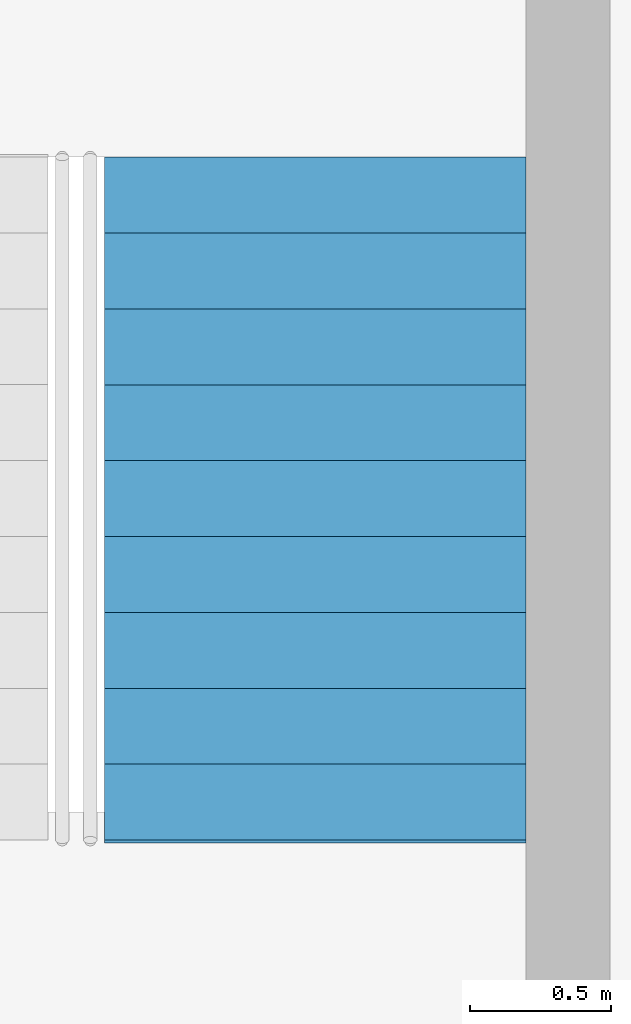
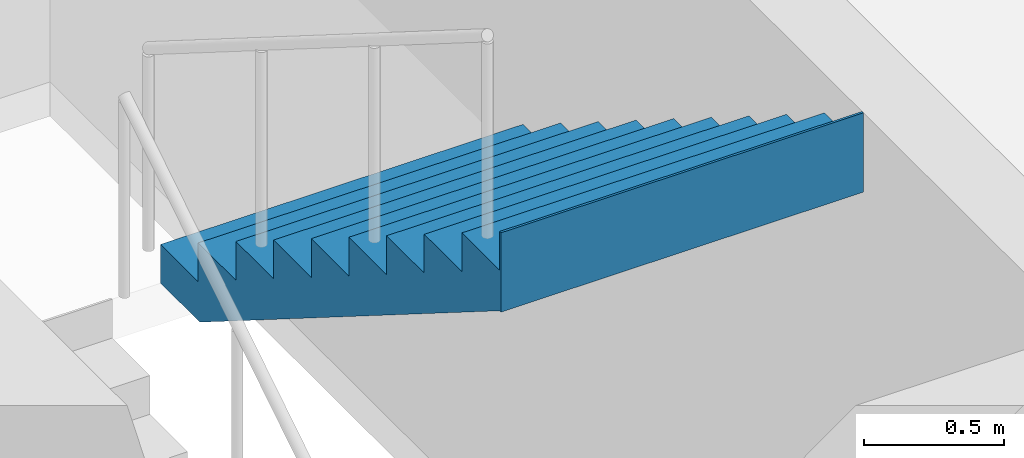
# One storey, part 13 of 14: 1 stair flight, 1 element without a shape of its own.
"""IFC4 building model written with IfcOpenShell, lengths in metres."""

from ifc_helpers import new_model, si_unit, direction, frame, origin, place, context, subcontext, project, spatial, polyline, outline, extrude, material, type_object, element, aggregate, save


model = new_model("IFC4")

# Units and contexts
model_context = context("Model", 3, precision=1e-05, world=origin(), true_north=direction((0.0, 1.0)))
body_context = subcontext(model_context, "Body", "Model", "MODEL_VIEW")
ifc_project = project(units=[si_unit("LENGTHUNIT", "METRE"), si_unit("AREAUNIT", "SQUARE_METRE"), si_unit("VOLUMEUNIT", "CUBIC_METRE"), si_unit("PLANEANGLEUNIT", "RADIAN"), si_unit("MASSUNIT", "GRAM", prefix="KILO")], contexts=[model_context])

# Site, building, storey
site_placement = place(None, origin())
site = spatial("IfcSite", under=ifc_project, at=site_placement, CompositionType="ELEMENT")
building_placement = place(site_placement, origin())
building = spatial("IfcBuilding", under=site, at=building_placement, Name="Torsade Residences", CompositionType="ELEMENT")
storey_placement = place(building_placement, frame((0.0, 0.0, 111.60009765625)))
storey = spatial("IfcBuildingStorey", under=building, at=storey_placement, Name="L30", CompositionType="ELEMENT", Elevation=111.60009765625)

# Stair, stair flight
ifc_material_1 = material(Name="Precast concrete 40 MPa", Category="concrete")
stair_type = type_object("IfcStairType", Name="HALF-TURN FIRE STAIR 1500x3400", PredefinedType="HALF_TURN_STAIR", material=ifc_material_1)
stair_placement = place(storey_placement, origin())
stair = element("IfcStair", 1, at=stair_placement, inside=storey, type_object=stair_type, Name="Stair ST1 L30", PredefinedType="HALF_TURN_STAIR")
ifc_material_2 = material(Name="Precast concrete 40 MPa", Category="concrete")
stair_flight_type = type_object("IfcStairFlightType", Name="PRECAST STAIR FLIGHT 1500x1700", PredefinedType="STRAIGHT", material=ifc_material_2)
stair_flight_placement = place(storey_placement, frame((31.25, 36.2099609375, 1.699951171875), z_axis=(0.0, 0.0, 1.0), x_axis=(0.0, -1.0, 0.0)))
stair_flight = element("IfcStairFlight", 2, at=stair_flight_placement, type_object=stair_flight_type, Name="ST1 flight 2", NumberOfRisers=10, NumberOfTreads=9, PredefinedType="STRAIGHT", RiserHeight=0.17, TreadLength=0.27, context=body_context, shape_type="SweptSolid", body=[
    extrude(outline(polyline([(0.0, 0.0), (0.0, 0.169921875), (0.27001953125, 0.169921875), (0.27001953125, 0.340087890625), (0.5400390625, 0.340087890625), (0.5400390625, 0.510009765625), (0.81005859375, 0.510009765625), (0.81005859375, 0.679931640625), (1.080078125, 0.679931640625), (1.080078125, 0.85009765625), (1.35009765625, 0.85009765625), (1.35009765625, 1.02001953125), (1.6201171875, 1.02001953125), (1.6201171875, 1.18994140625), (1.889892578125, 1.18994140625), (1.889892578125, 1.360107421875), (2.159912109375, 1.360107421875), (2.159912109375, 1.530029296875), (2.429931640625, 1.530029296875), (2.429931640625, 1.699951171875), (2.43994140625, 1.699951171875), (2.43994140625, 1.352783203125), (2.429931640625, 1.352783203125), (0.28125, 0.0), (0.0, 0.0)])), frame((0.0, 0.75, 0.0), z_axis=(0.0, -1.0, 0.0), x_axis=(1.0, 0.0, 0.0)), (0.0, 0.0, 1.0), 1.5),
])
aggregate(stair, [stair_flight])

save(model, "model.ifc")
